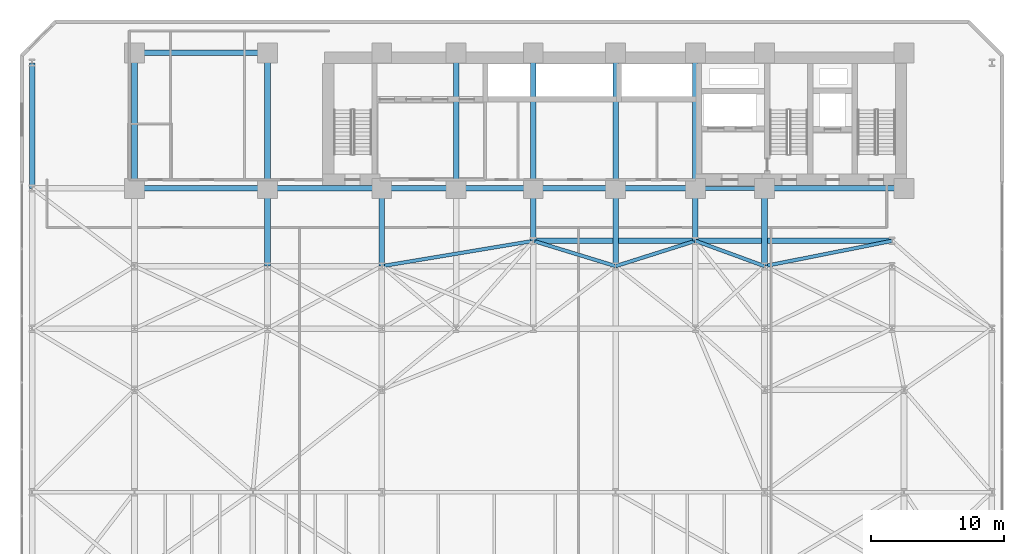
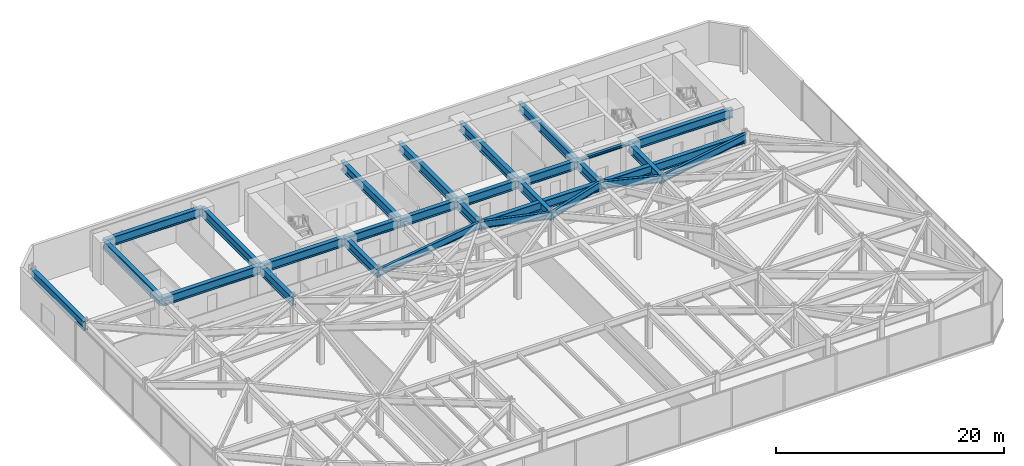
# One storey, part 20 of 28: 29 beams.
"""IFC4 building model written with IfcOpenShell, lengths in metres."""

from ifc_helpers import new_model, si_unit, direction, frame, origin, origin_2d, place, context, subcontext, project, spatial, i_section, extrude, material, material_profile, profile_set, type_object, element, save


model = new_model("IFC4")

# Units and contexts
model_context = context("Model", 3, precision=1e-05, world=origin(), true_north=direction((0.0, 1.0)))
body_context = subcontext(model_context, "Body", "Model", "MODEL_VIEW")
ifc_project = project(units=[si_unit("LENGTHUNIT", "METRE"), si_unit("AREAUNIT", "SQUARE_METRE"), si_unit("VOLUMEUNIT", "CUBIC_METRE"), si_unit("PLANEANGLEUNIT", "RADIAN"), si_unit("MASSUNIT", "GRAM", prefix="KILO")], contexts=[model_context])

# Site, building, storey
site_placement = place(None, origin())
site = spatial("IfcSite", under=ifc_project, at=site_placement, CompositionType="ELEMENT")
building_placement = place(site_placement, origin())
building = spatial("IfcBuilding", under=site, at=building_placement, Name="Kravanh Interchange Tower", CompositionType="ELEMENT")
storey_placement = place(building_placement, frame((0.0, 0.0, 15.300048828125)))
storey = spatial("IfcBuildingStorey", under=building, at=storey_placement, Name="L03", CompositionType="ELEMENT", Elevation=15.300048828125)

# Beams
ifc_material_1 = material(Name="Structural Steel S450", Category="steel")
ifc_material_profile_1 = material_profile(ifc_material_1, i_section(OverallWidth=0.423095703125, OverallDepth=0.947998046875, WebThickness=0.02392578125, FlangeThickness=0.042724609375, FilletRadius=0.028076171875, at=origin_2d()), Name="W36X302")
ifc_profile_set_1 = profile_set([ifc_material_profile_1], Name="Structural Steel S450")
beam_type_1 = type_object("IfcBeamType", Name="Floor Beam W36X302 Structural Steel S450", PredefinedType="BEAM", material=ifc_profile_set_1)
for number, where, z_axis, x_axis, name in (
    (1, (18.60009765625, 31.5, 3.755859375), (0.0, 1.0, 0.0), (-1.0, 0.0, 0.0), "L03 Primary Floor Girder 108"),
    (2, (27.199951171875, 31.5, 3.755859375), (0.0, 1.0, 0.0), (-1.0, 0.0, 0.0), "L03 Primary Floor Girder 110"),
    (3, (44.800048828125, 31.5, 3.755859375), (0.0, 1.0, 0.0), (-1.0, 0.0, 0.0), "L03 Primary Floor Girder 113"),
    (4, (56.0, 31.5, 3.755859375), (0.0, 1.0, 0.0), (-1.0, 0.0, 0.0), "L03 Primary Floor Girder 118"),
):
    element("IfcBeam", number, at=place(storey_placement, frame(where, z_axis=z_axis, x_axis=x_axis)), inside=storey, type_object=beam_type_1, Name=name, PredefinedType="BEAM", context=body_context, shape_type="SweptSolid", body=[
        extrude(i_section(OverallWidth=0.423095703125, OverallDepth=0.947998046875, WebThickness=0.02392578125, FlangeThickness=0.042724609375, FilletRadius=0.028076171875, at=origin_2d()), origin(), (0.0, 0.0, 1.0), 5.85009765625),
    ])
beam_1_placement = place(storey_placement, frame((0.89990234375, 37.35009765625, 3.755859375), z_axis=(0.0, 1.0, 0.0), x_axis=(-1.0, 0.0, 0.0)))
element("IfcBeam", 5, at=beam_1_placement, inside=storey, type_object=beam_type_1, Name="L03 Primary Floor Girder 126", PredefinedType="BEAM", context=body_context, shape_type="SweptSolid", body=[
    extrude(i_section(OverallWidth=0.423095703125, OverallDepth=0.947998046875, WebThickness=0.02392578125, FlangeThickness=0.042724609375, FilletRadius=0.028076171875, at=origin_2d()), origin(), (0.0, 0.0, 1.0), 9.449951171875),
])
beam_2_placement = place(storey_placement, frame((38.60009765625, 33.39990234375, 3.755859375), z_axis=(0.0, 1.0, 0.0), x_axis=(-1.0, 0.0, 0.0)))
element("IfcBeam", 6, at=beam_2_placement, inside=storey, type_object=beam_type_1, Name="L03 Primary Floor Girder 130", PredefinedType="BEAM", context=body_context, shape_type="SweptSolid", body=[
    extrude(i_section(OverallWidth=0.423095703125, OverallDepth=0.947998046875, WebThickness=0.02392578125, FlangeThickness=0.042724609375, FilletRadius=0.028076171875, at=origin_2d()), origin(), (0.0, 0.0, 1.0), 3.9501953125),
])
beam_3_placement = place(storey_placement, frame((38.60009765625, 33.39990234375, 3.755859375), z_axis=(1.0, 0.0, 0.0), x_axis=(0.0, 1.0, 0.0)))
element("IfcBeam", 7, at=beam_3_placement, inside=storey, type_object=beam_type_1, Name="L03 Primary Floor Girder 131", PredefinedType="BEAM", context=body_context, shape_type="SweptSolid", body=[
    extrude(i_section(OverallWidth=0.423095703125, OverallDepth=0.947998046875, WebThickness=0.02392578125, FlangeThickness=0.042724609375, FilletRadius=0.028076171875, at=origin_2d()), origin(), (0.0, 0.0, 1.0), 12.199951171875),
])
beam_4_placement = place(storey_placement, frame((50.800048828125, 33.39990234375, 3.755859375), z_axis=(0.0, 1.0, 0.0), x_axis=(-1.0, 0.0, 0.0)))
element("IfcBeam", 8, at=beam_4_placement, inside=storey, type_object=beam_type_1, Name="L03 Primary Floor Girder 132", PredefinedType="BEAM", context=body_context, shape_type="SweptSolid", body=[
    extrude(i_section(OverallWidth=0.423095703125, OverallDepth=0.947998046875, WebThickness=0.02392578125, FlangeThickness=0.042724609375, FilletRadius=0.028076171875, at=origin_2d()), origin(), (0.0, 0.0, 1.0), 3.9501953125),
])
beam_5_placement = place(storey_placement, frame((50.800048828125, 33.39990234375, 3.755859375), z_axis=(1.0, 0.0, 0.0), x_axis=(0.0, 1.0, 0.0)))
element("IfcBeam", 9, at=beam_5_placement, inside=storey, type_object=beam_type_1, Name="L03 Primary Floor Girder 133", PredefinedType="BEAM", context=body_context, shape_type="SweptSolid", body=[
    extrude(i_section(OverallWidth=0.423095703125, OverallDepth=0.947998046875, WebThickness=0.02392578125, FlangeThickness=0.042724609375, FilletRadius=0.028076171875, at=origin_2d()), origin(), (0.0, 0.0, 1.0), 14.800048828125),
])
beam_6_placement = place(storey_placement, frame((66.5, 37.35009765625, 3.755859375), z_axis=(-1.0, 0.0, 0.0), x_axis=(0.0, -1.0, 0.0)))
element("IfcBeam", 10, at=beam_6_placement, inside=storey, type_object=beam_type_1, Name="L03 Primary Floor Girder 138", PredefinedType="BEAM", context=body_context, shape_type="SweptSolid", body=[
    extrude(i_section(OverallWidth=0.423095703125, OverallDepth=0.947998046875, WebThickness=0.02392578125, FlangeThickness=0.042724609375, FilletRadius=0.028076171875, at=origin_2d()), origin(), (0.0, 0.0, 1.0), 10.5),
])
beam_7_placement = place(storey_placement, frame((50.800048828125, 47.550048828125, 3.755859375), z_axis=(0.0, -1.0, 0.0), x_axis=(1.0, 0.0, 0.0)))
element("IfcBeam", 11, at=beam_7_placement, inside=storey, type_object=beam_type_1, Name="L03 Primary Floor Girder 141", PredefinedType="BEAM", context=body_context, shape_type="SweptSolid", body=[
    extrude(i_section(OverallWidth=0.423095703125, OverallDepth=0.947998046875, WebThickness=0.02392578125, FlangeThickness=0.042724609375, FilletRadius=0.028076171875, at=origin_2d()), origin(), (0.0, 0.0, 1.0), 10.199951171875),
])
beam_8_placement = place(storey_placement, frame((50.800048828125, 37.35009765625, 3.755859375), z_axis=(-1.0, 0.0, 0.0), x_axis=(0.0, -1.0, 0.0)))
element("IfcBeam", 12, at=beam_8_placement, inside=storey, type_object=beam_type_1, Name="L03 Primary Floor Girder 142", PredefinedType="BEAM", context=body_context, shape_type="SweptSolid", body=[
    extrude(i_section(OverallWidth=0.423095703125, OverallDepth=0.947998046875, WebThickness=0.02392578125, FlangeThickness=0.042724609375, FilletRadius=0.028076171875, at=origin_2d()), origin(), (0.0, 0.0, 1.0), 6.0),
])
beam_9_placement = place(storey_placement, frame((44.800048828125, 37.35009765625, 3.755859375), z_axis=(-1.0, 0.0, 0.0), x_axis=(0.0, -1.0, 0.0)))
element("IfcBeam", 13, at=beam_9_placement, inside=storey, type_object=beam_type_1, Name="L03 Primary Floor Girder 143", PredefinedType="BEAM", context=body_context, shape_type="SweptSolid", body=[
    extrude(i_section(OverallWidth=0.423095703125, OverallDepth=0.947998046875, WebThickness=0.02392578125, FlangeThickness=0.042724609375, FilletRadius=0.028076171875, at=origin_2d()), origin(), (0.0, 0.0, 1.0), 6.199951171875),
])
beam_10_placement = place(storey_placement, frame((44.800048828125, 37.35009765625, 3.755859375), z_axis=(0.0, 1.0, 0.0), x_axis=(-1.0, 0.0, 0.0)))
element("IfcBeam", 14, at=beam_10_placement, inside=storey, type_object=beam_type_1, Name="L03 Primary Floor Girder 144", PredefinedType="BEAM", context=body_context, shape_type="SweptSolid", body=[
    extrude(i_section(OverallWidth=0.423095703125, OverallDepth=0.947998046875, WebThickness=0.02392578125, FlangeThickness=0.042724609375, FilletRadius=0.028076171875, at=origin_2d()), origin(), (0.0, 0.0, 1.0), 10.199951171875),
])
beam_11_placement = place(storey_placement, frame((38.60009765625, 37.35009765625, 3.755859375), z_axis=(-1.0, 0.0, 0.0), x_axis=(0.0, -1.0, 0.0)))
element("IfcBeam", 15, at=beam_11_placement, inside=storey, type_object=beam_type_1, Name="L03 Primary Floor Girder 146", PredefinedType="BEAM", context=body_context, shape_type="SweptSolid", body=[
    extrude(i_section(OverallWidth=0.423095703125, OverallDepth=0.947998046875, WebThickness=0.02392578125, FlangeThickness=0.042724609375, FilletRadius=0.028076171875, at=origin_2d()), origin(), (0.0, 0.0, 1.0), 5.800048828125),
])
beam_12_placement = place(storey_placement, frame((38.60009765625, 37.35009765625, 3.755859375), z_axis=(0.0, 1.0, 0.0), x_axis=(-1.0, 0.0, 0.0)))
element("IfcBeam", 16, at=beam_12_placement, inside=storey, type_object=beam_type_1, Name="L03 Primary Floor Girder 147", PredefinedType="BEAM", context=body_context, shape_type="SweptSolid", body=[
    extrude(i_section(OverallWidth=0.423095703125, OverallDepth=0.947998046875, WebThickness=0.02392578125, FlangeThickness=0.042724609375, FilletRadius=0.028076171875, at=origin_2d()), origin(), (0.0, 0.0, 1.0), 10.199951171875),
])
beam_13_placement = place(storey_placement, frame((32.800048828125, 37.35009765625, 3.755859375), z_axis=(-1.0, 0.0, 0.0), x_axis=(0.0, -1.0, 0.0)))
element("IfcBeam", 17, at=beam_13_placement, inside=storey, type_object=beam_type_1, Name="L03 Primary Floor Girder 149", PredefinedType="BEAM", context=body_context, shape_type="SweptSolid", body=[
    extrude(i_section(OverallWidth=0.423095703125, OverallDepth=0.947998046875, WebThickness=0.02392578125, FlangeThickness=0.042724609375, FilletRadius=0.028076171875, at=origin_2d()), origin(), (0.0, 0.0, 1.0), 5.60009765625),
])
beam_14_placement = place(storey_placement, frame((32.800048828125, 37.35009765625, 3.755859375), z_axis=(0.0, 1.0, 0.0), x_axis=(-1.0, 0.0, 0.0)))
element("IfcBeam", 18, at=beam_14_placement, inside=storey, type_object=beam_type_1, Name="L03 Primary Floor Girder 150", PredefinedType="BEAM", context=body_context, shape_type="SweptSolid", body=[
    extrude(i_section(OverallWidth=0.423095703125, OverallDepth=0.947998046875, WebThickness=0.02392578125, FlangeThickness=0.042724609375, FilletRadius=0.028076171875, at=origin_2d()), origin(), (0.0, 0.0, 1.0), 10.199951171875),
])
beam_15_placement = place(storey_placement, frame((27.199951171875, 37.35009765625, 3.755859375), z_axis=(-1.0, 0.0, 0.0), x_axis=(0.0, -1.0, 0.0)))
element("IfcBeam", 19, at=beam_15_placement, inside=storey, type_object=beam_type_1, Name="L03 Primary Floor Girder 152", PredefinedType="BEAM", context=body_context, shape_type="SweptSolid", body=[
    extrude(i_section(OverallWidth=0.423095703125, OverallDepth=0.947998046875, WebThickness=0.02392578125, FlangeThickness=0.042724609375, FilletRadius=0.028076171875, at=origin_2d()), origin(), (0.0, 0.0, 1.0), 8.599853515625),
])
beam_16_placement = place(storey_placement, frame((18.60009765625, 37.35009765625, 3.755859375), z_axis=(-1.0, 0.0, 0.0), x_axis=(0.0, -1.0, 0.0)))
element("IfcBeam", 20, at=beam_16_placement, inside=storey, type_object=beam_type_1, Name="L03 Primary Floor Girder 155", PredefinedType="BEAM", context=body_context, shape_type="SweptSolid", body=[
    extrude(i_section(OverallWidth=0.423095703125, OverallDepth=0.947998046875, WebThickness=0.02392578125, FlangeThickness=0.042724609375, FilletRadius=0.028076171875, at=origin_2d()), origin(), (0.0, 0.0, 1.0), 10.0),
])
beam_17_placement = place(storey_placement, frame((18.60009765625, 37.35009765625, 3.755859375), z_axis=(0.0, 1.0, 0.0), x_axis=(-1.0, 0.0, 0.0)))
element("IfcBeam", 21, at=beam_17_placement, inside=storey, type_object=beam_type_1, Name="L03 Primary Floor Girder 156", PredefinedType="BEAM", context=body_context, shape_type="SweptSolid", body=[
    extrude(i_section(OverallWidth=0.423095703125, OverallDepth=0.947998046875, WebThickness=0.02392578125, FlangeThickness=0.042724609375, FilletRadius=0.028076171875, at=origin_2d()), origin(), (0.0, 0.0, 1.0), 10.199951171875),
])
beam_18_placement = place(storey_placement, frame((18.60009765625, 47.550048828125, 3.755859375), z_axis=(-1.0, 0.0, 0.0), x_axis=(0.0, -1.0, 0.0)))
element("IfcBeam", 22, at=beam_18_placement, inside=storey, type_object=beam_type_1, Name="L03 Primary Floor Girder 157", PredefinedType="BEAM", context=body_context, shape_type="SweptSolid", body=[
    extrude(i_section(OverallWidth=0.423095703125, OverallDepth=0.947998046875, WebThickness=0.02392578125, FlangeThickness=0.042724609375, FilletRadius=0.028076171875, at=origin_2d()), origin(), (0.0, 0.0, 1.0), 10.0),
])
beam_19_placement = place(storey_placement, frame((8.60009765625, 37.35009765625, 3.755859375), z_axis=(0.0, 1.0, 0.0), x_axis=(-1.0, 0.0, 0.0)))
element("IfcBeam", 23, at=beam_19_placement, inside=storey, type_object=beam_type_1, Name="L03 Primary Floor Girder 158", PredefinedType="BEAM", context=body_context, shape_type="SweptSolid", body=[
    extrude(i_section(OverallWidth=0.423095703125, OverallDepth=0.947998046875, WebThickness=0.02392578125, FlangeThickness=0.042724609375, FilletRadius=0.028076171875, at=origin_2d()), origin(), (0.0, 0.0, 1.0), 10.199951171875),
])
ifc_material_2 = material(Name="Structural Steel S355", Category="steel")
ifc_material_profile_2 = material_profile(ifc_material_2, i_section(OverallWidth=0.304931640625, OverallDepth=0.306884765625, WebThickness=0.010009765625, FlangeThickness=0.015380859375, FilletRadius=0.014892578125, at=origin_2d()), Name="W12X65")
ifc_profile_set_2 = profile_set([ifc_material_profile_2], Name="Structural Steel S355")
beam_type_2 = type_object("IfcBeamType", Name="Floor Lintel W12X65 Structural Steel S355", PredefinedType="LINTEL", material=ifc_profile_set_2)
beam_20_placement = place(storey_placement, frame((50.800048828125, 37.35009765625, 4.076416015625), z_axis=(1.0, 0.0, 0.0), x_axis=(0.0, 1.0, 0.0)))
element("IfcBeam", 24, at=beam_20_placement, inside=storey, type_object=beam_type_2, Name="L03 Core Coupling Lintel 1", PredefinedType="LINTEL", context=body_context, shape_type="SweptSolid", body=[
    extrude(i_section(OverallWidth=0.304931640625, OverallDepth=0.306884765625, WebThickness=0.010009765625, FlangeThickness=0.015380859375, FilletRadius=0.014892578125, at=origin_2d()), origin(), (0.0, 0.0, 1.0), 5.199951171875),
])
ifc_material_3 = material(Name="Structural Steel S355", Category="steel")
ifc_material_profile_3 = material_profile(ifc_material_3, i_section(OverallWidth=0.26708984375, OverallDepth=0.761962890625, WebThickness=0.014404296875, FlangeThickness=0.021484375, FilletRadius=0.02490234375, at=origin_2d()), Name="W30X116")
ifc_profile_set_3 = profile_set([ifc_material_profile_3], Name="Structural Steel S355")
beam_type_3 = type_object("IfcBeamType", Name="Floor Spandrel W30X116 Structural Steel S355", PredefinedType="SPANDREL", material=ifc_profile_set_3)
beam_21_placement = place(storey_placement, frame((27.199951171875, 31.5, 3.848876953125), z_axis=(0.986395636554, 0.164388710647, 0.0), x_axis=(-0.164388710647, 0.986395636554, 0.0)))
element("IfcBeam", 25, at=beam_21_placement, inside=storey, type_object=beam_type_3, Name="L03 Perimeter Spandrel 111", PredefinedType="SPANDREL", context=body_context, shape_type="SweptSolid", body=[
    extrude(i_section(OverallWidth=0.26708984375, OverallDepth=0.761962890625, WebThickness=0.014404296875, FlangeThickness=0.021484375, FilletRadius=0.02490234375, at=origin_2d()), origin(), (0.0, 0.0, 1.0), 11.557373046875),
])
beam_22_placement = place(storey_placement, frame((44.800048828125, 31.5, 3.848876953125), z_axis=(0.953346691051, 0.301877602122, 0.0), x_axis=(-0.301877602122, 0.953346691051, 0.0)))
element("IfcBeam", 26, at=beam_22_placement, inside=storey, type_object=beam_type_3, Name="L03 Perimeter Spandrel 114", PredefinedType="SPANDREL", context=body_context, shape_type="SweptSolid", body=[
    extrude(i_section(OverallWidth=0.26708984375, OverallDepth=0.761962890625, WebThickness=0.014404296875, FlangeThickness=0.021484375, FilletRadius=0.02490234375, at=origin_2d()), origin(), (0.0, 0.0, 1.0), 6.293701171875),
])
beam_23_placement = place(storey_placement, frame((44.800048828125, 31.5, 3.848876953125), z_axis=(-0.956115397264, 0.292990353279, 0.0), x_axis=(-0.292990353279, -0.956115397264, 0.0)))
element("IfcBeam", 27, at=beam_23_placement, inside=storey, type_object=beam_type_3, Name="L03 Perimeter Spandrel 115", PredefinedType="SPANDREL", context=body_context, shape_type="SweptSolid", body=[
    extrude(i_section(OverallWidth=0.26708984375, OverallDepth=0.761962890625, WebThickness=0.014404296875, FlangeThickness=0.021484375, FilletRadius=0.02490234375, at=origin_2d()), origin(), (0.0, 0.0, 1.0), 6.484619140625),
])
beam_24_placement = place(storey_placement, frame((56.0, 31.5, 3.848876953125), z_axis=(-0.93926957103, 0.343180233896, 0.0), x_axis=(-0.343180233896, -0.93926957103, 0.0)))
element("IfcBeam", 28, at=beam_24_placement, inside=storey, type_object=beam_type_3, Name="L03 Perimeter Spandrel 117", PredefinedType="SPANDREL", context=body_context, shape_type="SweptSolid", body=[
    extrude(i_section(OverallWidth=0.26708984375, OverallDepth=0.761962890625, WebThickness=0.014404296875, FlangeThickness=0.021484375, FilletRadius=0.02490234375, at=origin_2d()), origin(), (0.0, 0.0, 1.0), 5.5361328125),
])
beam_25_placement = place(storey_placement, frame((56.0, 31.5, 3.848876953125), z_axis=(0.980974000807, 0.194139150457, 0.0), x_axis=(-0.194139150457, 0.980974000807, 0.0)))
element("IfcBeam", 29, at=beam_25_placement, inside=storey, type_object=beam_type_3, Name="L03 Perimeter Spandrel 120", PredefinedType="SPANDREL", context=body_context, shape_type="SweptSolid", body=[
    extrude(i_section(OverallWidth=0.26708984375, OverallDepth=0.761962890625, WebThickness=0.014404296875, FlangeThickness=0.021484375, FilletRadius=0.02490234375, at=origin_2d()), origin(), (0.0, 0.0, 1.0), 9.786376953125),
])

save(model, "model.ifc")
